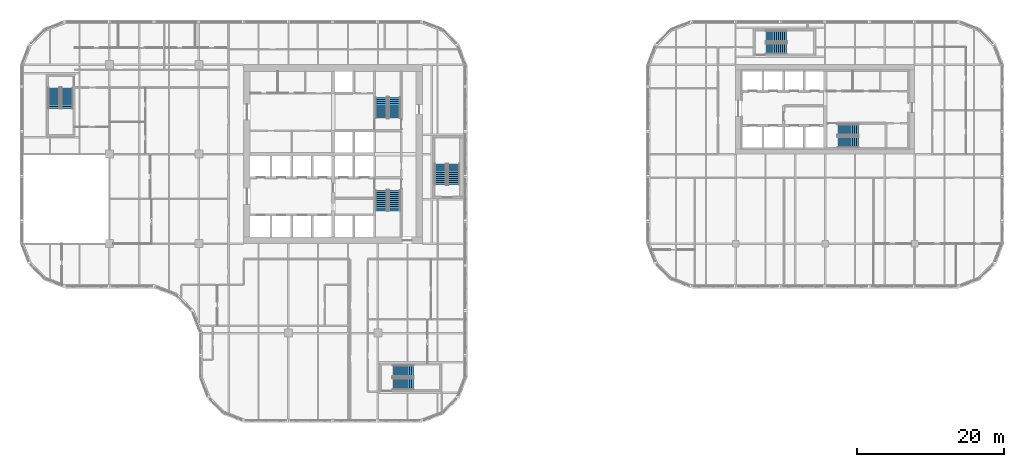
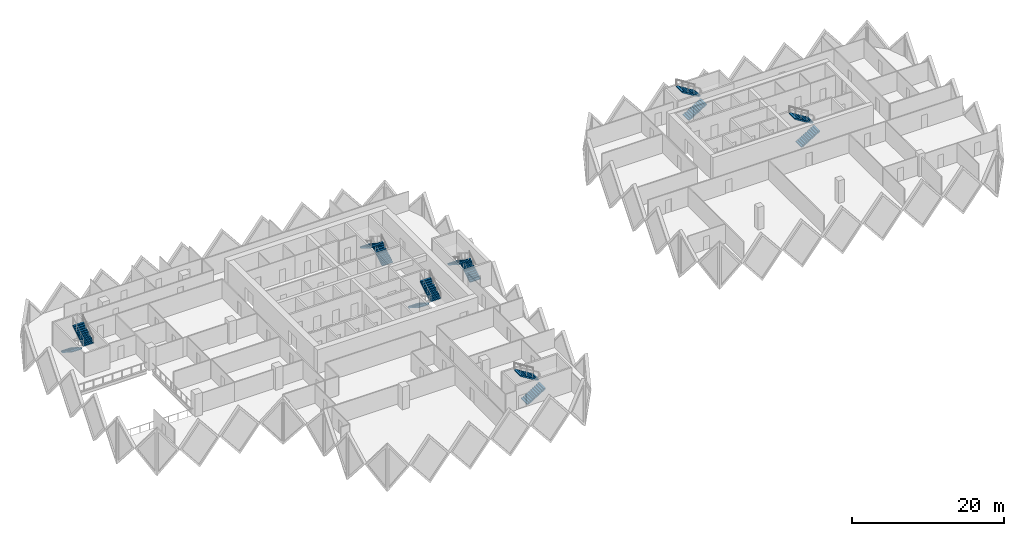
# One storey, part 16 of 18: 14 stair flights, 7 elements without a shape of their own.
"""IFC4 building model written with IfcOpenShell, lengths in metres."""

from ifc_helpers import new_model, si_unit, direction, frame, origin, place, context, subcontext, project, spatial, polyline, outline, extrude, material, type_object, element, aggregate, save


model = new_model("IFC4")

# Units and contexts
model_context = context("Model", 3, precision=1e-05, world=origin(), true_north=direction((0.0, 1.0)))
body_context = subcontext(model_context, "Body", "Model", "MODEL_VIEW")
ifc_project = project(units=[si_unit("LENGTHUNIT", "METRE"), si_unit("AREAUNIT", "SQUARE_METRE"), si_unit("VOLUMEUNIT", "CUBIC_METRE"), si_unit("PLANEANGLEUNIT", "RADIAN"), si_unit("MASSUNIT", "GRAM", prefix="KILO")], contexts=[model_context])

# Site, building, storey
site_placement = place(None, origin())
site = spatial("IfcSite", under=ifc_project, at=site_placement, CompositionType="ELEMENT")
building_placement = place(site_placement, origin())
building = spatial("IfcBuilding", under=site, at=building_placement, Name="Tessera Gate Towers", CompositionType="ELEMENT")
storey_placement = place(building_placement, frame((0.0, 0.0, 37.199951171875)))
storey = spatial("IfcBuildingStorey", under=building, at=storey_placement, Name="L08", CompositionType="ELEMENT", Elevation=37.199951171875)

# Stair, stair flights
ifc_material_1 = material(Name="Concrete C40/50", Category="concrete")
stair_type_1 = type_object("IfcStairType", Name="EXIT STAIR ST1 1600", PredefinedType="HALF_TURN_STAIR", material=ifc_material_1)
stair_1_placement = place(storey_placement, origin())
stair_1 = element("IfcStair", 1, at=stair_1_placement, inside=storey, type_object=stair_type_1, Name="L08 Protected Exit Stair ST1", PredefinedType="HALF_TURN_STAIR")
ifc_material_2 = material(Name="Concrete C40/50", Category="concrete")
stair_flight_type_1 = type_object("IfcStairFlightType", Name="EXIT STAIR FLIGHT ST1 1600", PredefinedType="STRAIGHT", material=ifc_material_2)
stair_flight_1_placement = place(storey_placement, frame((49.27490234375, 31.675048828125, 0.0), z_axis=(0.0, 0.0, 1.0), x_axis=(0.0, -1.0, 0.0)))
stair_flight_1 = element("IfcStairFlight", 2, at=stair_flight_1_placement, type_object=stair_flight_type_1, Name="ST1 flight 1", NumberOfRisers=11, NumberOfTreads=10, PredefinedType="STRAIGHT", RiserHeight=0.172727273, TreadLength=0.28, context=body_context, shape_type="SweptSolid", body=[
    extrude(outline(polyline([(0.0, 0.0), (0.0, 0.172607421875), (0.280029296875, 0.172607421875), (0.280029296875, 0.345458984375), (0.56005859375, 0.345458984375), (0.56005859375, 0.51806640625), (0.840087890625, 0.51806640625), (0.840087890625, 0.69091796875), (1.1201171875, 0.69091796875), (1.1201171875, 0.863525390625), (1.39990234375, 0.863525390625), (1.39990234375, 1.036376953125), (1.679931640625, 1.036376953125), (1.679931640625, 1.208984375), (1.9599609375, 1.208984375), (1.9599609375, 1.3818359375), (2.239990234375, 1.3818359375), (2.239990234375, 1.554443359375), (2.52001953125, 1.554443359375), (2.52001953125, 1.727294921875), (2.800048828125, 1.727294921875), (2.800048828125, 1.89990234375), (2.800048828125, 1.551025390625), (0.285400390625, 0.0), (0.0, 0.0)])), frame((0.0, 0.800048828125, 0.0), z_axis=(0.0, -1.0, 0.0), x_axis=(1.0, 0.0, 0.0)), (0.0, 0.0, 1.0), 1.60009765625),
])
stair_flight_2_placement = place(storey_placement, frame((51.074951171875, 28.875, 1.900146484375), z_axis=(0.0, 0.0, 1.0), x_axis=(0.0, 1.0, 0.0)))
stair_flight_2 = element("IfcStairFlight", 3, at=stair_flight_2_placement, type_object=stair_flight_type_1, Name="ST1 flight 2", NumberOfRisers=11, NumberOfTreads=10, PredefinedType="STRAIGHT", RiserHeight=0.172727273, TreadLength=0.28, context=body_context, shape_type="SweptSolid", body=[
    extrude(outline(polyline([(0.0, 0.0), (0.0, 0.172607421875), (0.280029296875, 0.172607421875), (0.280029296875, 0.345458984375), (0.56005859375, 0.345458984375), (0.56005859375, 0.51806640625), (0.840087890625, 0.51806640625), (0.840087890625, 0.69091796875), (1.1201171875, 0.69091796875), (1.1201171875, 0.863525390625), (1.39990234375, 0.863525390625), (1.39990234375, 1.036376953125), (1.679931640625, 1.036376953125), (1.679931640625, 1.208984375), (1.9599609375, 1.208984375), (1.9599609375, 1.3818359375), (2.239990234375, 1.3818359375), (2.239990234375, 1.554443359375), (2.52001953125, 1.554443359375), (2.52001953125, 1.727294921875), (2.800048828125, 1.727294921875), (2.800048828125, 1.89990234375), (2.800048828125, 1.551025390625), (0.285400390625, 0.0), (0.0, 0.0)])), frame((0.0, 0.800048828125, 0.0), z_axis=(0.0, -1.0, 0.0), x_axis=(1.0, 0.0, 0.0)), (0.0, 0.0, 1.0), 1.60009765625),
])
aggregate(stair_1, [stair_flight_1, stair_flight_2])

ifc_material_3 = material(Name="Concrete C40/50", Category="concrete")
stair_type_2 = type_object("IfcStairType", Name="EXIT STAIR ST2 1600", PredefinedType="HALF_TURN_STAIR", material=ifc_material_3)
stair_2_placement = place(storey_placement, origin())
stair_2 = element("IfcStair", 4, at=stair_2_placement, inside=storey, type_object=stair_type_2, Name="L08 Protected Exit Stair ST2", PredefinedType="HALF_TURN_STAIR")
ifc_material_4 = material(Name="Concrete C40/50", Category="concrete")
stair_flight_type_2 = type_object("IfcStairFlightType", Name="EXIT STAIR FLIGHT ST2 1600", PredefinedType="STRAIGHT", material=ifc_material_4)
stair_flight_3_placement = place(storey_placement, frame((51.074951171875, 41.52490234375, 0.0), z_axis=(0.0, 0.0, 1.0), x_axis=(0.0, 1.0, 0.0)))
stair_flight_3 = element("IfcStairFlight", 5, at=stair_flight_3_placement, type_object=stair_flight_type_2, Name="ST2 flight 1", NumberOfRisers=11, NumberOfTreads=10, PredefinedType="STRAIGHT", RiserHeight=0.172727273, TreadLength=0.28, context=body_context, shape_type="SweptSolid", body=[
    extrude(outline(polyline([(0.0, 0.0), (0.0, 0.172607421875), (0.280029296875, 0.172607421875), (0.280029296875, 0.345458984375), (0.56005859375, 0.345458984375), (0.56005859375, 0.51806640625), (0.840087890625, 0.51806640625), (0.840087890625, 0.69091796875), (1.1201171875, 0.69091796875), (1.1201171875, 0.863525390625), (1.39990234375, 0.863525390625), (1.39990234375, 1.036376953125), (1.679931640625, 1.036376953125), (1.679931640625, 1.208984375), (1.9599609375, 1.208984375), (1.9599609375, 1.3818359375), (2.239990234375, 1.3818359375), (2.239990234375, 1.554443359375), (2.52001953125, 1.554443359375), (2.52001953125, 1.727294921875), (2.800048828125, 1.727294921875), (2.800048828125, 1.89990234375), (2.800048828125, 1.551025390625), (0.285400390625, 0.0), (0.0, 0.0)])), frame((0.0, 0.800048828125, 0.0), z_axis=(0.0, -1.0, 0.0), x_axis=(1.0, 0.0, 0.0)), (0.0, 0.0, 1.0), 1.60009765625),
])
stair_flight_4_placement = place(storey_placement, frame((49.27490234375, 44.324951171875, 1.900146484375), z_axis=(0.0, 0.0, 1.0), x_axis=(0.0, -1.0, 0.0)))
stair_flight_4 = element("IfcStairFlight", 6, at=stair_flight_4_placement, type_object=stair_flight_type_2, Name="ST2 flight 2", NumberOfRisers=11, NumberOfTreads=10, PredefinedType="STRAIGHT", RiserHeight=0.172727273, TreadLength=0.28, context=body_context, shape_type="SweptSolid", body=[
    extrude(outline(polyline([(0.0, 0.0), (0.0, 0.172607421875), (0.280029296875, 0.172607421875), (0.280029296875, 0.345458984375), (0.56005859375, 0.345458984375), (0.56005859375, 0.51806640625), (0.840087890625, 0.51806640625), (0.840087890625, 0.69091796875), (1.1201171875, 0.69091796875), (1.1201171875, 0.863525390625), (1.39990234375, 0.863525390625), (1.39990234375, 1.036376953125), (1.679931640625, 1.036376953125), (1.679931640625, 1.208984375), (1.9599609375, 1.208984375), (1.9599609375, 1.3818359375), (2.239990234375, 1.3818359375), (2.239990234375, 1.554443359375), (2.52001953125, 1.554443359375), (2.52001953125, 1.727294921875), (2.800048828125, 1.727294921875), (2.800048828125, 1.89990234375), (2.800048828125, 1.551025390625), (0.285400390625, 0.0), (0.0, 0.0)])), frame((0.0, 0.800048828125, 0.0), z_axis=(0.0, -1.0, 0.0), x_axis=(1.0, 0.0, 0.0)), (0.0, 0.0, 1.0), 1.60009765625),
])
aggregate(stair_2, [stair_flight_3, stair_flight_4])

ifc_material_5 = material(Name="Concrete C40/50", Category="concrete")
stair_type_3 = type_object("IfcStairType", Name="EXIT STAIR ST3 1600", PredefinedType="HALF_TURN_STAIR", material=ifc_material_5)
stair_3_placement = place(storey_placement, origin())
stair_3 = element("IfcStair", 7, at=stair_3_placement, inside=storey, type_object=stair_type_3, Name="L08 West Exit Stair ST3", PredefinedType="HALF_TURN_STAIR")
ifc_material_6 = material(Name="Concrete C40/50", Category="concrete")
stair_flight_type_3 = type_object("IfcStairFlightType", Name="EXIT STAIR FLIGHT ST3 1600", PredefinedType="STRAIGHT", material=ifc_material_6)
stair_flight_5_placement = place(storey_placement, frame((4.64990234375, 45.64990234375, 0.0), z_axis=(0.0, 0.0, 1.0), x_axis=(0.0, -1.0, 0.0)))
stair_flight_5 = element("IfcStairFlight", 8, at=stair_flight_5_placement, type_object=stair_flight_type_3, Name="ST3 flight 1", NumberOfRisers=11, NumberOfTreads=10, PredefinedType="STRAIGHT", RiserHeight=0.172727273, TreadLength=0.28, context=body_context, shape_type="SweptSolid", body=[
    extrude(outline(polyline([(0.0, 0.0), (0.0, 0.172607421875), (0.280029296875, 0.172607421875), (0.280029296875, 0.345458984375), (0.56005859375, 0.345458984375), (0.56005859375, 0.51806640625), (0.840087890625, 0.51806640625), (0.840087890625, 0.69091796875), (1.1201171875, 0.69091796875), (1.1201171875, 0.863525390625), (1.39990234375, 0.863525390625), (1.39990234375, 1.036376953125), (1.679931640625, 1.036376953125), (1.679931640625, 1.208984375), (1.9599609375, 1.208984375), (1.9599609375, 1.3818359375), (2.239990234375, 1.3818359375), (2.239990234375, 1.554443359375), (2.52001953125, 1.554443359375), (2.52001953125, 1.727294921875), (2.800048828125, 1.727294921875), (2.800048828125, 1.89990234375), (2.800048828125, 1.551025390625), (0.285400390625, 0.0), (0.0, 0.0)])), frame((0.0, 0.800048828125, 0.0), z_axis=(0.0, -1.0, 0.0), x_axis=(1.0, 0.0, 0.0)), (0.0, 0.0, 1.0), 1.60009765625),
])
stair_flight_6_placement = place(storey_placement, frame((6.449951171875, 42.85009765625, 1.900146484375), z_axis=(0.0, 0.0, 1.0), x_axis=(0.0, 1.0, 0.0)))
stair_flight_6 = element("IfcStairFlight", 9, at=stair_flight_6_placement, type_object=stair_flight_type_3, Name="ST3 flight 2", NumberOfRisers=11, NumberOfTreads=10, PredefinedType="STRAIGHT", RiserHeight=0.172727273, TreadLength=0.28, context=body_context, shape_type="SweptSolid", body=[
    extrude(outline(polyline([(0.0, 0.0), (0.0, 0.172607421875), (0.280029296875, 0.172607421875), (0.280029296875, 0.345458984375), (0.56005859375, 0.345458984375), (0.56005859375, 0.51806640625), (0.840087890625, 0.51806640625), (0.840087890625, 0.69091796875), (1.1201171875, 0.69091796875), (1.1201171875, 0.863525390625), (1.39990234375, 0.863525390625), (1.39990234375, 1.036376953125), (1.679931640625, 1.036376953125), (1.679931640625, 1.208984375), (1.9599609375, 1.208984375), (1.9599609375, 1.3818359375), (2.239990234375, 1.3818359375), (2.239990234375, 1.554443359375), (2.52001953125, 1.554443359375), (2.52001953125, 1.727294921875), (2.800048828125, 1.727294921875), (2.800048828125, 1.89990234375), (2.800048828125, 1.551025390625), (0.285400390625, 0.0), (0.0, 0.0)])), frame((0.0, 0.800048828125, 0.0), z_axis=(0.0, -1.0, 0.0), x_axis=(1.0, 0.0, 0.0)), (0.0, 0.0, 1.0), 1.60009765625),
])
aggregate(stair_3, [stair_flight_5, stair_flight_6])

ifc_material_7 = material(Name="Concrete C40/50", Category="concrete")
stair_type_4 = type_object("IfcStairType", Name="EXIT STAIR ST4 1600", PredefinedType="HALF_TURN_STAIR", material=ifc_material_7)
stair_4_placement = place(storey_placement, origin())
stair_4 = element("IfcStair", 10, at=stair_4_placement, inside=storey, type_object=stair_type_4, Name="L08 South Exit Stair ST4", PredefinedType="HALF_TURN_STAIR")
ifc_material_8 = material(Name="Concrete C40/50", Category="concrete")
stair_flight_type_4 = type_object("IfcStairFlightType", Name="EXIT STAIR FLIGHT ST4 1600", PredefinedType="STRAIGHT", material=ifc_material_8)
stair_flight_7_placement = place(storey_placement, frame((50.85009765625, 5.25, 0.0), z_axis=(0.0, 0.0, 1.0), x_axis=(1.0, 0.0, 0.0)))
stair_flight_7 = element("IfcStairFlight", 11, at=stair_flight_7_placement, type_object=stair_flight_type_4, Name="ST4 flight 1", NumberOfRisers=11, NumberOfTreads=10, PredefinedType="STRAIGHT", RiserHeight=0.172727273, TreadLength=0.28, context=body_context, shape_type="SweptSolid", body=[
    extrude(outline(polyline([(0.0, 0.0), (0.0, 0.172607421875), (0.280029296875, 0.172607421875), (0.280029296875, 0.345458984375), (0.56005859375, 0.345458984375), (0.56005859375, 0.51806640625), (0.840087890625, 0.51806640625), (0.840087890625, 0.69091796875), (1.1201171875, 0.69091796875), (1.1201171875, 0.863525390625), (1.39990234375, 0.863525390625), (1.39990234375, 1.036376953125), (1.679931640625, 1.036376953125), (1.679931640625, 1.208984375), (1.9599609375, 1.208984375), (1.9599609375, 1.3818359375), (2.239990234375, 1.3818359375), (2.239990234375, 1.554443359375), (2.52001953125, 1.554443359375), (2.52001953125, 1.727294921875), (2.800048828125, 1.727294921875), (2.800048828125, 1.89990234375), (2.800048828125, 1.551025390625), (0.285400390625, 0.0), (0.0, 0.0)])), frame((0.0, 0.800048828125, 0.0), z_axis=(0.0, -1.0, 0.0), x_axis=(1.0, 0.0, 0.0)), (0.0, 0.0, 1.0), 1.60009765625),
])
stair_flight_8_placement = place(storey_placement, frame((53.64990234375, 7.050048828125, 1.900146484375), z_axis=(0.0, 0.0, 1.0), x_axis=(-1.0, 0.0, 0.0)))
stair_flight_8 = element("IfcStairFlight", 12, at=stair_flight_8_placement, type_object=stair_flight_type_4, Name="ST4 flight 2", NumberOfRisers=11, NumberOfTreads=10, PredefinedType="STRAIGHT", RiserHeight=0.172727273, TreadLength=0.28, context=body_context, shape_type="SweptSolid", body=[
    extrude(outline(polyline([(0.0, 0.0), (0.0, 0.172607421875), (0.280029296875, 0.172607421875), (0.280029296875, 0.345458984375), (0.56005859375, 0.345458984375), (0.56005859375, 0.51806640625), (0.840087890625, 0.51806640625), (0.840087890625, 0.69091796875), (1.1201171875, 0.69091796875), (1.1201171875, 0.863525390625), (1.39990234375, 0.863525390625), (1.39990234375, 1.036376953125), (1.679931640625, 1.036376953125), (1.679931640625, 1.208984375), (1.9599609375, 1.208984375), (1.9599609375, 1.3818359375), (2.239990234375, 1.3818359375), (2.239990234375, 1.554443359375), (2.52001953125, 1.554443359375), (2.52001953125, 1.727294921875), (2.800048828125, 1.727294921875), (2.800048828125, 1.89990234375), (2.800048828125, 1.551025390625), (0.285400390625, 0.0), (0.0, 0.0)])), frame((0.0, 0.800048828125, 0.0), z_axis=(0.0, -1.0, 0.0), x_axis=(1.0, 0.0, 0.0)), (0.0, 0.0, 1.0), 1.60009765625),
])
aggregate(stair_4, [stair_flight_7, stair_flight_8])

ifc_material_9 = material(Name="Concrete C40/50", Category="concrete")
stair_type_5 = type_object("IfcStairType", Name="EXIT STAIR ST5 1600", PredefinedType="HALF_TURN_STAIR", material=ifc_material_9)
stair_5_placement = place(storey_placement, origin())
stair_5 = element("IfcStair", 13, at=stair_5_placement, inside=storey, type_object=stair_type_5, Name="L08 East Exit Stair ST5", PredefinedType="HALF_TURN_STAIR")
ifc_material_10 = material(Name="Concrete C40/50", Category="concrete")
stair_flight_type_5 = type_object("IfcStairFlightType", Name="EXIT STAIR FLIGHT ST5 1600", PredefinedType="STRAIGHT", material=ifc_material_10)
stair_flight_9_placement = place(storey_placement, frame((59.14990234375, 32.449951171875, 0.0), z_axis=(0.0, 0.0, 1.0), x_axis=(0.0, 1.0, 0.0)))
stair_flight_9 = element("IfcStairFlight", 14, at=stair_flight_9_placement, type_object=stair_flight_type_5, Name="ST5 flight 1", NumberOfRisers=11, NumberOfTreads=10, PredefinedType="STRAIGHT", RiserHeight=0.172727273, TreadLength=0.28, context=body_context, shape_type="SweptSolid", body=[
    extrude(outline(polyline([(0.0, 0.0), (0.0, 0.172607421875), (0.280029296875, 0.172607421875), (0.280029296875, 0.345458984375), (0.56005859375, 0.345458984375), (0.56005859375, 0.51806640625), (0.840087890625, 0.51806640625), (0.840087890625, 0.69091796875), (1.1201171875, 0.69091796875), (1.1201171875, 0.863525390625), (1.39990234375, 0.863525390625), (1.39990234375, 1.036376953125), (1.679931640625, 1.036376953125), (1.679931640625, 1.208984375), (1.9599609375, 1.208984375), (1.9599609375, 1.3818359375), (2.239990234375, 1.3818359375), (2.239990234375, 1.554443359375), (2.52001953125, 1.554443359375), (2.52001953125, 1.727294921875), (2.800048828125, 1.727294921875), (2.800048828125, 1.89990234375), (2.800048828125, 1.551025390625), (0.285400390625, 0.0), (0.0, 0.0)])), frame((0.0, 0.800048828125, 0.0), z_axis=(0.0, -1.0, 0.0), x_axis=(1.0, 0.0, 0.0)), (0.0, 0.0, 1.0), 1.60009765625),
])
stair_flight_10_placement = place(storey_placement, frame((57.35009765625, 35.25, 1.900146484375), z_axis=(0.0, 0.0, 1.0), x_axis=(0.0, -1.0, 0.0)))
stair_flight_10 = element("IfcStairFlight", 15, at=stair_flight_10_placement, type_object=stair_flight_type_5, Name="ST5 flight 2", NumberOfRisers=11, NumberOfTreads=10, PredefinedType="STRAIGHT", RiserHeight=0.172727273, TreadLength=0.28, context=body_context, shape_type="SweptSolid", body=[
    extrude(outline(polyline([(0.0, 0.0), (0.0, 0.172607421875), (0.280029296875, 0.172607421875), (0.280029296875, 0.345458984375), (0.56005859375, 0.345458984375), (0.56005859375, 0.51806640625), (0.840087890625, 0.51806640625), (0.840087890625, 0.69091796875), (1.1201171875, 0.69091796875), (1.1201171875, 0.863525390625), (1.39990234375, 0.863525390625), (1.39990234375, 1.036376953125), (1.679931640625, 1.036376953125), (1.679931640625, 1.208984375), (1.9599609375, 1.208984375), (1.9599609375, 1.3818359375), (2.239990234375, 1.3818359375), (2.239990234375, 1.554443359375), (2.52001953125, 1.554443359375), (2.52001953125, 1.727294921875), (2.800048828125, 1.727294921875), (2.800048828125, 1.89990234375), (2.800048828125, 1.551025390625), (0.285400390625, 0.0), (0.0, 0.0)])), frame((0.0, 0.800048828125, 0.0), z_axis=(0.0, -1.0, 0.0), x_axis=(1.0, 0.0, 0.0)), (0.0, 0.0, 1.0), 1.60009765625),
])
aggregate(stair_5, [stair_flight_9, stair_flight_10])

ifc_material_11 = material(Name="Concrete C40/50", Category="concrete")
stair_type_6 = type_object("IfcStairType", Name="EXIT STAIR ST6 1500", PredefinedType="HALF_TURN_STAIR", material=ifc_material_11)
stair_6_placement = place(storey_placement, origin())
stair_6 = element("IfcStair", 16, at=stair_6_placement, inside=storey, type_object=stair_type_6, Name="L08 Protected Exit Stair ST6", PredefinedType="HALF_TURN_STAIR")
ifc_material_12 = material(Name="Concrete C40/50", Category="concrete")
stair_flight_type_6 = type_object("IfcStairFlightType", Name="EXIT STAIR FLIGHT ST6 1500", PredefinedType="STRAIGHT", material=ifc_material_12)
stair_flight_11_placement = place(storey_placement, frame((111.550048828125, 38.25, 0.0), z_axis=(0.0, 0.0, 1.0), x_axis=(1.0, 0.0, 0.0)))
stair_flight_11 = element("IfcStairFlight", 17, at=stair_flight_11_placement, type_object=stair_flight_type_6, Name="ST6 flight 1", NumberOfRisers=11, NumberOfTreads=10, PredefinedType="STRAIGHT", RiserHeight=0.172727273, TreadLength=0.28, context=body_context, shape_type="SweptSolid", body=[
    extrude(outline(polyline([(0.0, 0.0), (0.0, 0.172607421875), (0.280029296875, 0.172607421875), (0.280029296875, 0.345458984375), (0.56005859375, 0.345458984375), (0.56005859375, 0.51806640625), (0.840087890625, 0.51806640625), (0.840087890625, 0.69091796875), (1.1201171875, 0.69091796875), (1.1201171875, 0.863525390625), (1.39990234375, 0.863525390625), (1.39990234375, 1.036376953125), (1.679931640625, 1.036376953125), (1.679931640625, 1.208984375), (1.9599609375, 1.208984375), (1.9599609375, 1.3818359375), (2.239990234375, 1.3818359375), (2.239990234375, 1.554443359375), (2.52001953125, 1.554443359375), (2.52001953125, 1.727294921875), (2.800048828125, 1.727294921875), (2.800048828125, 1.89990234375), (2.800048828125, 1.551025390625), (0.285400390625, 0.0), (0.0, 0.0)])), frame((0.0, 0.75, 0.0), z_axis=(0.0, -1.0, 0.0), x_axis=(1.0, 0.0, 0.0)), (0.0, 0.0, 1.0), 1.5),
])
stair_flight_12_placement = place(storey_placement, frame((114.35009765625, 39.949951171875, 1.900146484375), z_axis=(0.0, 0.0, 1.0), x_axis=(-1.0, 0.0, 0.0)))
stair_flight_12 = element("IfcStairFlight", 18, at=stair_flight_12_placement, type_object=stair_flight_type_6, Name="ST6 flight 2", NumberOfRisers=11, NumberOfTreads=10, PredefinedType="STRAIGHT", RiserHeight=0.172727273, TreadLength=0.28, context=body_context, shape_type="SweptSolid", body=[
    extrude(outline(polyline([(0.0, 0.0), (0.0, 0.172607421875), (0.280029296875, 0.172607421875), (0.280029296875, 0.345458984375), (0.56005859375, 0.345458984375), (0.56005859375, 0.51806640625), (0.840087890625, 0.51806640625), (0.840087890625, 0.69091796875), (1.1201171875, 0.69091796875), (1.1201171875, 0.863525390625), (1.39990234375, 0.863525390625), (1.39990234375, 1.036376953125), (1.679931640625, 1.036376953125), (1.679931640625, 1.208984375), (1.9599609375, 1.208984375), (1.9599609375, 1.3818359375), (2.239990234375, 1.3818359375), (2.239990234375, 1.554443359375), (2.52001953125, 1.554443359375), (2.52001953125, 1.727294921875), (2.800048828125, 1.727294921875), (2.800048828125, 1.89990234375), (2.800048828125, 1.551025390625), (0.285400390625, 0.0), (0.0, 0.0)])), frame((0.0, 0.75, 0.0), z_axis=(0.0, -1.0, 0.0), x_axis=(1.0, 0.0, 0.0)), (0.0, 0.0, 1.0), 1.5),
])
aggregate(stair_6, [stair_flight_11, stair_flight_12])

ifc_material_13 = material(Name="Concrete C40/50", Category="concrete")
stair_type_7 = type_object("IfcStairType", Name="EXIT STAIR ST7 1500", PredefinedType="HALF_TURN_STAIR", material=ifc_material_13)
stair_7_placement = place(storey_placement, origin())
stair_7 = element("IfcStair", 19, at=stair_7_placement, inside=storey, type_object=stair_type_7, Name="L08 North Exit Stair ST7", PredefinedType="HALF_TURN_STAIR")
ifc_material_14 = material(Name="Concrete C40/50", Category="concrete")
stair_flight_type_7 = type_object("IfcStairFlightType", Name="EXIT STAIR FLIGHT ST7 1500", PredefinedType="STRAIGHT", material=ifc_material_14)
stair_flight_13_placement = place(storey_placement, frame((101.75, 51.0, 0.0), z_axis=(0.0, 0.0, 1.0), x_axis=(1.0, 0.0, 0.0)))
stair_flight_13 = element("IfcStairFlight", 20, at=stair_flight_13_placement, type_object=stair_flight_type_7, Name="ST7 flight 1", NumberOfRisers=11, NumberOfTreads=10, PredefinedType="STRAIGHT", RiserHeight=0.172727273, TreadLength=0.28, context=body_context, shape_type="SweptSolid", body=[
    extrude(outline(polyline([(0.0, 0.0), (0.0, 0.172607421875), (0.280029296875, 0.172607421875), (0.280029296875, 0.345458984375), (0.56005859375, 0.345458984375), (0.56005859375, 0.51806640625), (0.840087890625, 0.51806640625), (0.840087890625, 0.69091796875), (1.1201171875, 0.69091796875), (1.1201171875, 0.863525390625), (1.39990234375, 0.863525390625), (1.39990234375, 1.036376953125), (1.679931640625, 1.036376953125), (1.679931640625, 1.208984375), (1.9599609375, 1.208984375), (1.9599609375, 1.3818359375), (2.239990234375, 1.3818359375), (2.239990234375, 1.554443359375), (2.52001953125, 1.554443359375), (2.52001953125, 1.727294921875), (2.800048828125, 1.727294921875), (2.800048828125, 1.89990234375), (2.800048828125, 1.551025390625), (0.285400390625, 0.0), (0.0, 0.0)])), frame((0.0, 0.75, 0.0), z_axis=(0.0, -1.0, 0.0), x_axis=(1.0, 0.0, 0.0)), (0.0, 0.0, 1.0), 1.5),
])
stair_flight_14_placement = place(storey_placement, frame((104.550048828125, 52.699951171875, 1.900146484375), z_axis=(0.0, 0.0, 1.0), x_axis=(-1.0, 0.0, 0.0)))
stair_flight_14 = element("IfcStairFlight", 21, at=stair_flight_14_placement, type_object=stair_flight_type_7, Name="ST7 flight 2", NumberOfRisers=11, NumberOfTreads=10, PredefinedType="STRAIGHT", RiserHeight=0.172727273, TreadLength=0.28, context=body_context, shape_type="SweptSolid", body=[
    extrude(outline(polyline([(0.0, 0.0), (0.0, 0.172607421875), (0.280029296875, 0.172607421875), (0.280029296875, 0.345458984375), (0.56005859375, 0.345458984375), (0.56005859375, 0.51806640625), (0.840087890625, 0.51806640625), (0.840087890625, 0.69091796875), (1.1201171875, 0.69091796875), (1.1201171875, 0.863525390625), (1.39990234375, 0.863525390625), (1.39990234375, 1.036376953125), (1.679931640625, 1.036376953125), (1.679931640625, 1.208984375), (1.9599609375, 1.208984375), (1.9599609375, 1.3818359375), (2.239990234375, 1.3818359375), (2.239990234375, 1.554443359375), (2.52001953125, 1.554443359375), (2.52001953125, 1.727294921875), (2.800048828125, 1.727294921875), (2.800048828125, 1.89990234375), (2.800048828125, 1.551025390625), (0.285400390625, 0.0), (0.0, 0.0)])), frame((0.0, 0.75, 0.0), z_axis=(0.0, -1.0, 0.0), x_axis=(1.0, 0.0, 0.0)), (0.0, 0.0, 1.0), 1.5),
])
aggregate(stair_7, [stair_flight_13, stair_flight_14])

save(model, "model.ifc")
